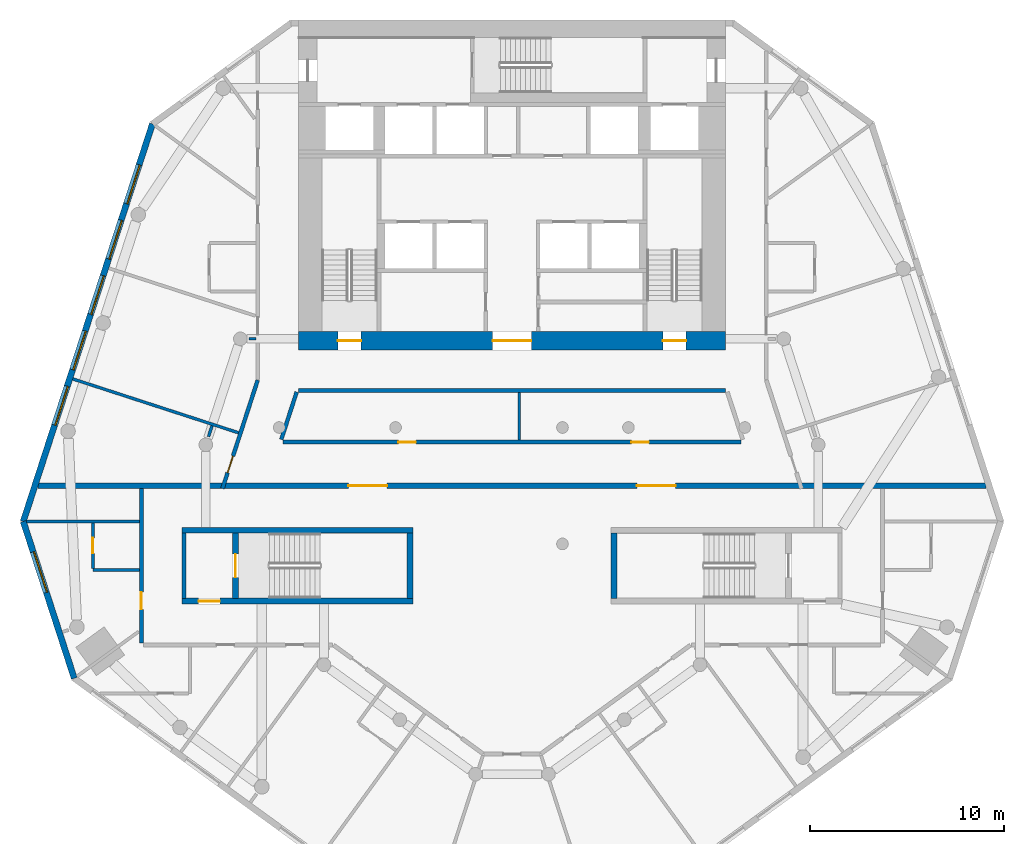
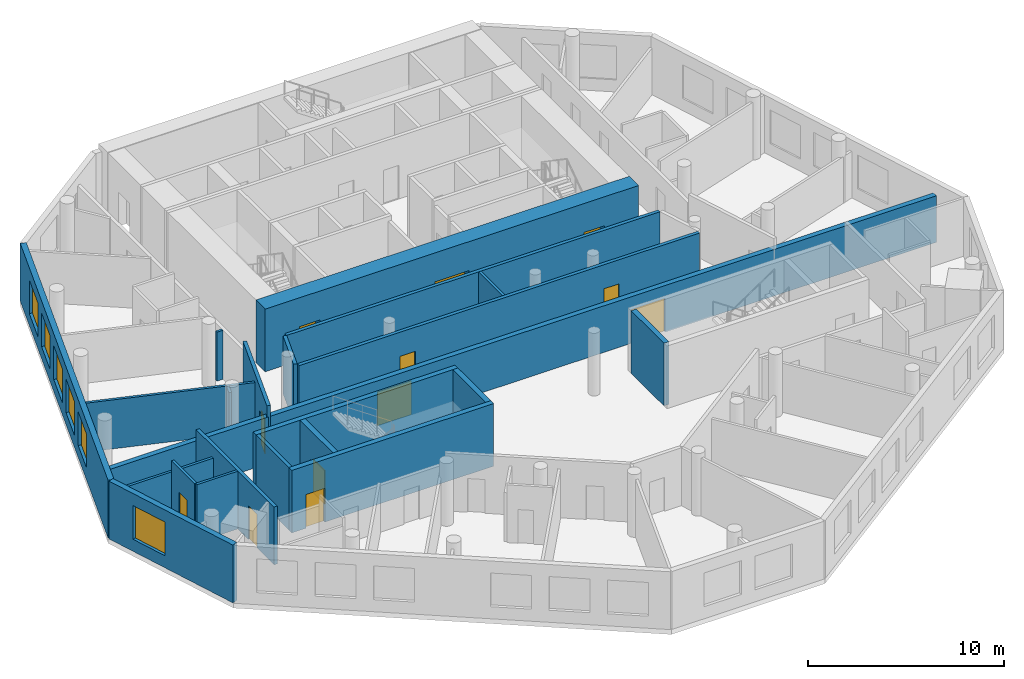
# One storey, part 3 of 9: 22 walls, 12 doors, 6 windows, 18 openings.
"""IFC4 building model written with IfcOpenShell, lengths in metres."""

from ifc_helpers import new_model, si_unit, direction, frame, frame_2d, origin, place, context, subcontext, project, spatial, rectangle, extrude, material, layer, layer_set, type_object, element, fill, save


model = new_model("IFC4")

# Units and contexts
model_context = context("Model", 3, precision=1e-05, world=origin(), true_north=direction((0.0, 1.0)))
body_context = subcontext(model_context, "Body", "Model", "MODEL_VIEW")
ifc_project = project(units=[si_unit("LENGTHUNIT", "METRE"), si_unit("AREAUNIT", "SQUARE_METRE"), si_unit("VOLUMEUNIT", "CUBIC_METRE"), si_unit("PLANEANGLEUNIT", "RADIAN"), si_unit("MASSUNIT", "GRAM", prefix="KILO")], contexts=[model_context])

# Site, building, storey
site_placement = place(None, origin())
site = spatial("IfcSite", under=ifc_project, at=site_placement, CompositionType="ELEMENT")
building_placement = place(site_placement, origin())
building = spatial("IfcBuilding", under=site, at=building_placement, Name="White Candle Pilgrim Tower", CompositionType="ELEMENT")
storey_placement = place(building_placement, frame((0.0, 0.0, 164.199951171875)))
storey = spatial("IfcBuildingStorey", under=building, at=storey_placement, Name="L37", CompositionType="ELEMENT", Elevation=164.199951171875)

# Wall
ifc_material_1 = material(Name="Concrete C60/75", Category="concrete")
ifc_layer_1 = layer(ifc_material_1, 0.199951171875)
ifc_layer_set_1 = layer_set([ifc_layer_1], Name="Core wall 200 mm Concrete C60/75")
wall_type_1 = type_object("IfcWallType", Name="Core wall 200 mm Concrete C60/75", PredefinedType="SHEAR", material=ifc_layer_set_1)
wall_1_placement = place(storey_placement, frame((53.10009765625, 58.199951171875, 0.0), z_axis=(0.0, 0.0, 1.0), x_axis=(0.0, 1.0, 0.0)))
element("IfcWall", 1, at=wall_1_placement, inside=storey, type_object=wall_type_1, Name="WL-L37-C03", PredefinedType="SHEAR", context=body_context, shape_type="SweptSolid", body=[
    extrude(rectangle(XDim=3.35009765625, YDim=0.199951171875, at=frame_2d((1.675048828125, 0.0))), origin(), (0.0, 0.0, 1.0), 3.900146484375),
])

# Wall, opening, door
ifc_material_2 = material(Name="Gypsum board on steel studs", Category="steel")
ifc_layer_2 = layer(ifc_material_2, 0.199951171875)
ifc_layer_set_2 = layer_set([ifc_layer_2], Name="Corridor wall 200 mm EI 45")
wall_type_2 = type_object("IfcWallType", Name="Corridor wall 200 mm EI 45", PredefinedType="PARTITIONING", material=ifc_layer_set_2)
wall_2_placement = place(storey_placement, frame((55.078125, 63.85009765625, 0.0), z_axis=(0.0, 0.0, 1.0), x_axis=(0.309018469575, 0.951056036972, 0.0)))
wall_2 = element("IfcWall", 2, at=wall_2_placement, inside=storey, type_object=wall_type_2, Name="WL-L37-P002", PredefinedType="PARTITIONING", context=body_context, shape_type="SweptSolid", body=[
    extrude(rectangle(XDim=5.879638671875, YDim=0.199951171875, at=frame_2d((2.93994140625, 0.0))), origin(), (0.0, 0.0, 1.0), 3.60009765625),
])
opening_1_placement = place(wall_2_placement, frame((0.861083984375, 0.0, 0.0)))
opening_1 = element("IfcOpeningElement", 3, at=opening_1_placement, cuts=wall_2, Name="Opening T11-124", PredefinedType="OPENING", context=body_context, shape_type="SweptSolid", body=[
    extrude(rectangle(XDim=0.89990234375, YDim=2.10009765625, at=frame_2d((0.449951171875, 1.050048828125))), frame((0.0, 0.10986328125, 0.0), z_axis=(0.0, -1.0, 0.0), x_axis=(1.0, 0.0, 0.0)), (0.0, 0.0, 1.0), 0.219970703125),
])
ifc_material_3 = material(Name="Steel door leaf", Category="steel")
door_type_1 = type_object("IfcDoorType", Name="Fire door 900 x 2100 EI 30", OperationType="NOTDEFINED", PredefinedType="DOOR", material=ifc_material_3)
door_1_placement = place(opening_1_placement, origin())
door_1 = element("IfcDoor", 4, at=door_1_placement, inside=storey, type_object=door_type_1, Name="Door T11-124", OperationType="SINGLE_SWING_RIGHT", OverallHeight=2.10009765625, OverallWidth=0.89990234375, PredefinedType="DOOR", context=body_context, shape_type="SweptSolid", body=[
    extrude(rectangle(XDim=0.89990234375, YDim=2.10009765625, at=frame_2d((0.449951171875, 1.050048828125))), frame((0.0, 0.02490234375, 0.0), z_axis=(0.0, -1.0, 0.0), x_axis=(1.0, 0.0, 0.0)), (0.0, 0.0, 1.0), 0.050048828125),
])
fill(opening_1, door_1)

wall_3_placement = place(storey_placement, frame((50.89990234375, 55.89990234375, 0.0), z_axis=(0.0, 0.0, 1.0), x_axis=(0.0, 1.0, 0.0)))
wall_3 = element("IfcWall", 5, at=wall_3_placement, inside=storey, type_object=wall_type_2, Name="WL-L37-P012", PredefinedType="PARTITIONING", context=body_context, shape_type="SweptSolid", body=[
    extrude(rectangle(XDim=7.9501953125, YDim=0.199951171875, at=frame_2d((3.97509765625, 0.0))), origin(), (0.0, 0.0, 1.0), 3.60009765625),
])
opening_2_placement = place(wall_3_placement, frame((1.72119140625, 0.0, 0.0)))
opening_2 = element("IfcOpeningElement", 6, at=opening_2_placement, cuts=wall_3, Name="Opening T11-103", PredefinedType="OPENING", context=body_context, shape_type="SweptSolid", body=[
    extrude(rectangle(XDim=0.89990234375, YDim=2.10009765625, at=frame_2d((0.449951171875, 1.050048828125))), frame((0.0, 0.10986328125, 0.0), z_axis=(0.0, -1.0, 0.0), x_axis=(1.0, 0.0, 0.0)), (0.0, 0.0, 1.0), 0.219970703125),
])
door_2_placement = place(opening_2_placement, origin())
door_2 = element("IfcDoor", 7, at=door_2_placement, inside=storey, type_object=door_type_1, Name="Door T11-103", OperationType="SINGLE_SWING_LEFT", OverallHeight=2.10009765625, OverallWidth=0.89990234375, PredefinedType="DOOR", context=body_context, shape_type="SweptSolid", body=[
    extrude(rectangle(XDim=0.89990234375, YDim=2.10009765625, at=frame_2d((0.449951171875, 1.050048828125))), frame((0.0, 0.02490234375, 0.0), z_axis=(0.0, -1.0, 0.0), x_axis=(1.0, 0.0, 0.0)), (0.0, 0.0, 1.0), 0.050048828125),
])
fill(opening_2, door_2)

# Walls
wall_4_placement = place(storey_placement, frame((81.000244140625, 68.89990234375, 0.0), z_axis=(0.0, 0.0, 1.0), x_axis=(-1.0, 0.0, 0.0)))
element("IfcWall", 8, at=wall_4_placement, inside=storey, type_object=wall_type_2, Name="WL-L37-P013", PredefinedType="PARTITIONING", context=body_context, shape_type="SweptSolid", body=[
    extrude(rectangle(XDim=22.00048828125, YDim=0.199951171875, at=frame_2d((11.000244140625, 0.0))), origin(), (0.0, 0.0, 1.0), 3.60009765625),
])
wall_5_placement = place(storey_placement, frame((58.90478515625, 68.830810546875, 0.0), z_axis=(0.0, 0.0, 1.0), x_axis=(-0.309053927645, -0.951044515155, 0.0)))
element("IfcWall", 9, at=wall_5_placement, inside=storey, type_object=wall_type_2, Name="WL-L37-P014", PredefinedType="PARTITIONING", context=body_context, shape_type="SweptSolid", body=[
    extrude(rectangle(XDim=2.576171875, YDim=0.199951171875, at=frame_2d((1.2880859375, 0.0))), origin(), (0.0, 0.0, 1.0), 3.60009765625),
])

# Wall, openings, doors
wall_6_placement = place(storey_placement, frame((58.20361328125, 66.25, 0.0), z_axis=(0.0, 0.0, 1.0), x_axis=(1.0, 0.0, 0.0)))
wall_6 = element("IfcWall", 10, at=wall_6_placement, inside=storey, type_object=wall_type_2, Name="WL-L37-P015", PredefinedType="PARTITIONING", context=body_context, shape_type="SweptSolid", body=[
    extrude(rectangle(XDim=23.5927734375, YDim=0.199951171875, at=frame_2d((11.79638671875, 0.0))), origin(), (0.0, 0.0, 1.0), 3.60009765625),
])
opening_3_placement = place(wall_6_placement, frame((5.94091796875, 0.0, 0.0)))
opening_3 = element("IfcOpeningElement", 11, at=opening_3_placement, cuts=wall_6, Name="Opening T11-122", PredefinedType="OPENING", context=body_context, shape_type="SweptSolid", body=[
    extrude(rectangle(XDim=0.89990234375, YDim=2.10009765625, at=frame_2d((0.449951171875, 1.050048828125))), frame((0.0, 0.10986328125, 0.0), z_axis=(0.0, -1.0, 0.0), x_axis=(1.0, 0.0, 0.0)), (0.0, 0.0, 1.0), 0.219970703125),
])
opening_4_placement = place(wall_6_placement, frame((17.949951171875, 0.0, 0.0)))
opening_4 = element("IfcOpeningElement", 12, at=opening_4_placement, cuts=wall_6, Name="Opening T11-123", PredefinedType="OPENING", context=body_context, shape_type="SweptSolid", body=[
    extrude(rectangle(XDim=0.89990234375, YDim=2.10009765625, at=frame_2d((0.449951171875, 1.050048828125))), frame((0.0, 0.10986328125, 0.0), z_axis=(0.0, -1.0, 0.0), x_axis=(1.0, 0.0, 0.0)), (0.0, 0.0, 1.0), 0.219970703125),
])
door_3_placement = place(opening_3_placement, origin())
door_3 = element("IfcDoor", 13, at=door_3_placement, inside=storey, type_object=door_type_1, Name="Door T11-122", OperationType="SINGLE_SWING_RIGHT", OverallHeight=2.10009765625, OverallWidth=0.89990234375, PredefinedType="DOOR", context=body_context, shape_type="SweptSolid", body=[
    extrude(rectangle(XDim=0.89990234375, YDim=2.10009765625, at=frame_2d((0.449951171875, 1.050048828125))), frame((0.0, 0.02490234375, 0.0), z_axis=(0.0, -1.0, 0.0), x_axis=(1.0, 0.0, 0.0)), (0.0, 0.0, 1.0), 0.050048828125),
])
fill(opening_3, door_3)
door_4_placement = place(opening_4_placement, origin())
door_4 = element("IfcDoor", 14, at=door_4_placement, inside=storey, type_object=door_type_1, Name="Door T11-123", OperationType="SINGLE_SWING_RIGHT", OverallHeight=2.10009765625, OverallWidth=0.89990234375, PredefinedType="DOOR", context=body_context, shape_type="SweptSolid", body=[
    extrude(rectangle(XDim=0.89990234375, YDim=2.10009765625, at=frame_2d((0.449951171875, 1.050048828125))), frame((0.0, 0.02490234375, 0.0), z_axis=(0.0, -1.0, 0.0), x_axis=(1.0, 0.0, 0.0)), (0.0, 0.0, 1.0), 0.050048828125),
])
fill(opening_4, door_4)

# Wall, opening, window
ifc_material_4 = material(Name="Precast concrete C40/50", Category="concrete")
ifc_layer_3 = layer(ifc_material_4, 0.320068359375)
ifc_layer_set_3 = layer_set([ifc_layer_3], Name="Facade wall EW1 precast concrete C40/50 pier wall with timber-lined reveals")
wall_type_3 = type_object("IfcWallType", Name="Facade wall EW1 precast concrete C40/50 pier wall with timber-lined reveals", PredefinedType="SOLIDWALL", material=ifc_layer_set_3)
wall_7_placement = place(storey_placement, frame((44.81298828125, 62.158447265625, 0.0), z_axis=(0.0, 0.0, 1.0), x_axis=(0.30900946713, -0.951058962012, 0.0)))
wall_7 = element("IfcWall", 15, at=wall_7_placement, inside=storey, type_object=wall_type_3, Name="Facade wall L37 W chamfer", PredefinedType="SOLIDWALL", context=body_context, shape_type="SweptSolid", body=[
    extrude(rectangle(XDim=8.503662109375, YDim=0.320068359375, at=frame_2d((4.251953125, 0.0))), origin(), (0.0, 0.0, 1.0), 3.60009765625),
])
opening_5_placement = place(wall_7_placement, frame((1.65185546875, 0.0, 0.75)))
opening_5 = element("IfcOpeningElement", 16, at=opening_5_placement, cuts=wall_7, Name="Opening W4", PredefinedType="OPENING", context=body_context, shape_type="SweptSolid", body=[
    extrude(rectangle(XDim=2.199951171875, YDim=2.10009765625, at=frame_2d((1.10009765625, 1.050048828125))), frame((0.0, 0.169921875, 0.0), z_axis=(0.0, -1.0, 0.0), x_axis=(1.0, 0.0, 0.0)), (0.0, 0.0, 1.0), 0.340087890625),
])
ifc_material_5 = material(Name="Timber frame with triple glazing", Category="wood")
window_type_1 = type_object("IfcWindowType", Name="Window W4 2200x2100 timber frame triple glazing", PartitioningType="SINGLE_PANEL", PredefinedType="WINDOW", material=ifc_material_5)
window_1_placement = place(opening_5_placement, origin())
window_1 = element("IfcWindow", 17, at=window_1_placement, inside=storey, type_object=window_type_1, Name="Window W4 L37 W chamfer 1", OverallHeight=2.10009765625, OverallWidth=2.199951171875, PartitioningType="SINGLE_PANEL", PredefinedType="WINDOW", context=body_context, shape_type="SweptSolid", body=[
    extrude(rectangle(XDim=2.199951171875, YDim=2.10009765625, at=frame_2d((1.10009765625, 1.050048828125))), frame((0.0, 0.070068359375, 0.0), z_axis=(0.0, -1.0, 0.0), x_axis=(1.0, 0.0, 0.0)), (0.0, 0.0, 1.0), 0.06005859375),
])
fill(opening_5, window_1)

# Wall, openings, windows
wall_8_placement = place(storey_placement, frame((51.470947265625, 82.649658203125, 0.0), z_axis=(0.0, 0.0, 1.0), x_axis=(-0.309015355068, -0.951057048937, 0.0)))
wall_8 = element("IfcWall", 18, at=wall_8_placement, inside=storey, type_object=wall_type_3, Name="Facade wall L37 WNW", PredefinedType="SOLIDWALL", context=body_context, shape_type="SweptSolid", body=[
    extrude(rectangle(XDim=21.545654296875, YDim=0.320068359375, at=frame_2d((10.77294921875, 0.0))), origin(), (0.0, 0.0, 1.0), 3.60009765625),
])
opening_6_placement = place(wall_8_placement, frame((2.222900390625, 0.0, 0.75)))
opening_6 = element("IfcOpeningElement", 19, at=opening_6_placement, cuts=wall_8, Name="Opening W3", PredefinedType="OPENING", context=body_context, shape_type="SweptSolid", body=[
    extrude(rectangle(XDim=2.10009765625, YDim=2.10009765625, at=frame_2d((1.050048828125, 1.050048828125))), frame((0.0, 0.169921875, 0.0), z_axis=(0.0, -1.0, 0.0), x_axis=(1.0, 0.0, 0.0)), (0.0, 0.0, 1.0), 0.340087890625),
])
opening_7_placement = place(wall_8_placement, frame((5.222900390625, 0.0, 0.75)))
opening_7 = element("IfcOpeningElement", 20, at=opening_7_placement, cuts=wall_8, Name="Opening W3", PredefinedType="OPENING", context=body_context, shape_type="SweptSolid", body=[
    extrude(rectangle(XDim=2.10009765625, YDim=2.10009765625, at=frame_2d((1.050048828125, 1.050048828125))), frame((0.0, 0.169921875, 0.0), z_axis=(0.0, -1.0, 0.0), x_axis=(1.0, 0.0, 0.0)), (0.0, 0.0, 1.0), 0.340087890625),
])
opening_8_placement = place(wall_8_placement, frame((8.222900390625, 0.0, 0.75)))
opening_8 = element("IfcOpeningElement", 21, at=opening_8_placement, cuts=wall_8, Name="Opening W3", PredefinedType="OPENING", context=body_context, shape_type="SweptSolid", body=[
    extrude(rectangle(XDim=2.10009765625, YDim=2.10009765625, at=frame_2d((1.050048828125, 1.050048828125))), frame((0.0, 0.169921875, 0.0), z_axis=(0.0, -1.0, 0.0), x_axis=(1.0, 0.0, 0.0)), (0.0, 0.0, 1.0), 0.340087890625),
])
opening_9_placement = place(wall_8_placement, frame((11.222900390625, 0.0, 0.75)))
opening_9 = element("IfcOpeningElement", 22, at=opening_9_placement, cuts=wall_8, Name="Opening W3", PredefinedType="OPENING", context=body_context, shape_type="SweptSolid", body=[
    extrude(rectangle(XDim=2.10009765625, YDim=2.10009765625, at=frame_2d((1.050048828125, 1.050048828125))), frame((0.0, 0.169921875, 0.0), z_axis=(0.0, -1.0, 0.0), x_axis=(1.0, 0.0, 0.0)), (0.0, 0.0, 1.0), 0.340087890625),
])
opening_10_placement = place(wall_8_placement, frame((14.222900390625, 0.0, 0.75)))
opening_10 = element("IfcOpeningElement", 23, at=opening_10_placement, cuts=wall_8, Name="Opening W3", PredefinedType="OPENING", context=body_context, shape_type="SweptSolid", body=[
    extrude(rectangle(XDim=2.10009765625, YDim=2.10009765625, at=frame_2d((1.050048828125, 1.050048828125))), frame((0.0, 0.169921875, 0.0), z_axis=(0.0, -1.0, 0.0), x_axis=(1.0, 0.0, 0.0)), (0.0, 0.0, 1.0), 0.340087890625),
])
window_type_2 = type_object("IfcWindowType", Name="Window W3 2100x2100 timber frame triple glazing", PartitioningType="SINGLE_PANEL", PredefinedType="WINDOW", material=ifc_material_5)
window_2_placement = place(opening_6_placement, origin())
window_2 = element("IfcWindow", 24, at=window_2_placement, inside=storey, type_object=window_type_2, Name="Window W3 L37 WNW 1", OverallHeight=2.10009765625, OverallWidth=2.10009765625, PartitioningType="SINGLE_PANEL", PredefinedType="WINDOW", context=body_context, shape_type="SweptSolid", body=[
    extrude(rectangle(XDim=2.10009765625, YDim=2.10009765625, at=frame_2d((1.050048828125, 1.050048828125))), frame((0.0, 0.070068359375, 0.0), z_axis=(0.0, -1.0, 0.0), x_axis=(1.0, 0.0, 0.0)), (0.0, 0.0, 1.0), 0.06005859375),
])
fill(opening_6, window_2)
window_3_placement = place(opening_7_placement, origin())
window_3 = element("IfcWindow", 25, at=window_3_placement, inside=storey, type_object=window_type_2, Name="Window W3 L37 WNW 2", OverallHeight=2.10009765625, OverallWidth=2.10009765625, PartitioningType="SINGLE_PANEL", PredefinedType="WINDOW", context=body_context, shape_type="SweptSolid", body=[
    extrude(rectangle(XDim=2.10009765625, YDim=2.10009765625, at=frame_2d((1.050048828125, 1.050048828125))), frame((0.0, 0.070068359375, 0.0), z_axis=(0.0, -1.0, 0.0), x_axis=(1.0, 0.0, 0.0)), (0.0, 0.0, 1.0), 0.06005859375),
])
fill(opening_7, window_3)
window_4_placement = place(opening_8_placement, origin())
window_4 = element("IfcWindow", 26, at=window_4_placement, inside=storey, type_object=window_type_2, Name="Window W3 L37 WNW 3", OverallHeight=2.10009765625, OverallWidth=2.10009765625, PartitioningType="SINGLE_PANEL", PredefinedType="WINDOW", context=body_context, shape_type="SweptSolid", body=[
    extrude(rectangle(XDim=2.10009765625, YDim=2.10009765625, at=frame_2d((1.050048828125, 1.050048828125))), frame((0.0, 0.070068359375, 0.0), z_axis=(0.0, -1.0, 0.0), x_axis=(1.0, 0.0, 0.0)), (0.0, 0.0, 1.0), 0.06005859375),
])
fill(opening_8, window_4)
window_5_placement = place(opening_9_placement, origin())
window_5 = element("IfcWindow", 27, at=window_5_placement, inside=storey, type_object=window_type_2, Name="Window W3 L37 WNW 4", OverallHeight=2.10009765625, OverallWidth=2.10009765625, PartitioningType="SINGLE_PANEL", PredefinedType="WINDOW", context=body_context, shape_type="SweptSolid", body=[
    extrude(rectangle(XDim=2.10009765625, YDim=2.10009765625, at=frame_2d((1.050048828125, 1.050048828125))), frame((0.0, 0.070068359375, 0.0), z_axis=(0.0, -1.0, 0.0), x_axis=(1.0, 0.0, 0.0)), (0.0, 0.0, 1.0), 0.06005859375),
])
fill(opening_9, window_5)
window_6_placement = place(opening_10_placement, origin())
window_6 = element("IfcWindow", 28, at=window_6_placement, inside=storey, type_object=window_type_2, Name="Window W3 L37 WNW 5", OverallHeight=2.10009765625, OverallWidth=2.10009765625, PartitioningType="SINGLE_PANEL", PredefinedType="WINDOW", context=body_context, shape_type="SweptSolid", body=[
    extrude(rectangle(XDim=2.10009765625, YDim=2.10009765625, at=frame_2d((1.050048828125, 1.050048828125))), frame((0.0, 0.070068359375, 0.0), z_axis=(0.0, -1.0, 0.0), x_axis=(1.0, 0.0, 0.0)), (0.0, 0.0, 1.0), 0.06005859375),
])
fill(opening_10, window_6)

# Wall, openings, doors
ifc_material_6 = material(Name="Aerated concrete block", Category="concrete")
ifc_layer_4 = layer(ifc_material_6, 0.300048828125)
ifc_layer_set_4 = layer_set([ifc_layer_4], Name="Fire wall 300 mm REI 240")
wall_type_4 = type_object("IfcWallType", Name="Fire wall 300 mm REI 240", PredefinedType="PARTITIONING", material=ifc_layer_set_4)
wall_9_placement = place(storey_placement, frame((45.57958984375, 64.0, 0.0), z_axis=(0.0, 0.0, 1.0), x_axis=(1.0, 0.0, 0.0)))
wall_9 = element("IfcWall", 29, at=wall_9_placement, inside=storey, type_object=wall_type_4, Name="WL-L37-P001", PredefinedType="PARTITIONING", context=body_context, shape_type="SweptSolid", body=[
    extrude(rectangle(XDim=48.8408203125, YDim=0.300048828125, at=frame_2d((24.42041015625, 0.0))), origin(), (0.0, 0.0, 1.0), 2.900146484375),
])
opening_11_placement = place(wall_9_placement, frame((15.98388671875, 0.0, 0.0)))
opening_11 = element("IfcOpeningElement", 30, at=opening_11_placement, cuts=wall_9, Name="Opening T11-120", PredefinedType="OPENING", context=body_context, shape_type="SweptSolid", body=[
    extrude(rectangle(XDim=2.0, YDim=2.10009765625, at=frame_2d((1.0, 1.050048828125))), frame((0.0, 0.159912109375, 0.0), z_axis=(0.0, -1.0, 0.0), x_axis=(1.0, 0.0, 0.0)), (0.0, 0.0, 1.0), 0.320068359375),
])
opening_12_placement = place(wall_9_placement, frame((30.856689453125, 0.0, 0.0)))
opening_12 = element("IfcOpeningElement", 31, at=opening_12_placement, cuts=wall_9, Name="Opening T11-121", PredefinedType="OPENING", context=body_context, shape_type="SweptSolid", body=[
    extrude(rectangle(XDim=2.0, YDim=2.10009765625, at=frame_2d((1.0, 1.050048828125))), frame((0.0, 0.159912109375, 0.0), z_axis=(0.0, -1.0, 0.0), x_axis=(1.0, 0.0, 0.0)), (0.0, 0.0, 1.0), 0.320068359375),
])
door_type_2 = type_object("IfcDoorType", Name="Fire door 2000 x 2100 EI 60", OperationType="NOTDEFINED", PredefinedType="DOOR", material=ifc_material_3)
door_5_placement = place(opening_11_placement, origin())
door_5 = element("IfcDoor", 32, at=door_5_placement, inside=storey, type_object=door_type_2, Name="Door T11-120", OperationType="DOUBLE_DOOR_SINGLE_SWING", OverallHeight=2.10009765625, OverallWidth=2.0, PredefinedType="DOOR", context=body_context, shape_type="SweptSolid", body=[
    extrude(rectangle(XDim=2.0, YDim=2.10009765625, at=frame_2d((1.0, 1.050048828125))), frame((0.0, 0.02490234375, 0.0), z_axis=(0.0, -1.0, 0.0), x_axis=(1.0, 0.0, 0.0)), (0.0, 0.0, 1.0), 0.050048828125),
])
fill(opening_11, door_5)
door_6_placement = place(opening_12_placement, origin())
door_6 = element("IfcDoor", 33, at=door_6_placement, inside=storey, type_object=door_type_2, Name="Door T11-121", OperationType="DOUBLE_DOOR_SINGLE_SWING", OverallHeight=2.10009765625, OverallWidth=2.0, PredefinedType="DOOR", context=body_context, shape_type="SweptSolid", body=[
    extrude(rectangle(XDim=2.0, YDim=2.10009765625, at=frame_2d((1.0, 1.050048828125))), frame((0.0, 0.02490234375, 0.0), z_axis=(0.0, -1.0, 0.0), x_axis=(1.0, 0.0, 0.0)), (0.0, 0.0, 1.0), 0.050048828125),
])
fill(opening_12, door_6)

# Walls
ifc_layer_5 = layer(ifc_material_2, 0.14990234375)
ifc_layer_set_5 = layer_set([ifc_layer_5], Name="Partition 150 mm EI 60")
wall_type_5 = type_object("IfcWallType", Name="Partition 150 mm EI 60", PredefinedType="PARTITIONING", material=ifc_layer_set_5)
wall_10_placement = place(storey_placement, frame((44.981201171875, 62.158447265625, 0.0), z_axis=(0.0, 0.0, 1.0), x_axis=(1.0, 0.0, 0.0)))
element("IfcWall", 34, at=wall_10_placement, inside=storey, type_object=wall_type_5, Name="WL-L37-P018", PredefinedType="PARTITIONING", context=body_context, shape_type="SweptSolid", body=[
    extrude(rectangle(XDim=5.81884765625, YDim=0.14990234375, at=frame_2d((2.909423828125, 0.0))), origin(), (0.0, 0.0, 1.0), 2.900146484375),
])
wall_11_placement = place(storey_placement, frame((47.3671875, 69.50146484375, 0.0), z_axis=(0.0, 0.0, 1.0), x_axis=(0.951051249243, -0.309033204224, 0.0)))
element("IfcWall", 35, at=wall_11_placement, inside=storey, type_object=wall_type_5, Name="WL-L37-P027", PredefinedType="PARTITIONING", context=body_context, shape_type="SweptSolid", body=[
    extrude(rectangle(XDim=8.97998046875, YDim=0.14990234375, at=frame_2d((4.489990234375, 0.0))), origin(), (0.0, 0.0, 1.0), 3.050048828125),
])
wall_12_placement = place(storey_placement, frame((50.800048828125, 59.658447265625, 0.0), z_axis=(0.0, 0.0, 1.0), x_axis=(-1.0, 0.0, 0.0)))
element("IfcWall", 36, at=wall_12_placement, inside=storey, type_object=wall_type_5, Name="WL-L37-P031", PredefinedType="PARTITIONING", context=body_context, shape_type="SweptSolid", body=[
    extrude(rectangle(XDim=2.400146484375, YDim=0.14990234375, at=frame_2d((1.2001953125, 0.0))), origin(), (0.0, 0.0, 1.0), 3.60009765625),
])

# Wall, opening, door
wall_13_placement = place(storey_placement, frame((48.39990234375, 62.08349609375, 0.0), z_axis=(0.0, 0.0, 1.0), x_axis=(0.0, -1.0, 0.0)))
wall_13 = element("IfcWall", 37, at=wall_13_placement, inside=storey, type_object=wall_type_5, Name="WL-L37-P032", PredefinedType="PARTITIONING", context=body_context, shape_type="SweptSolid", body=[
    extrude(rectangle(XDim=2.35009765625, YDim=0.14990234375, at=frame_2d((1.175048828125, 0.0))), origin(), (0.0, 0.0, 1.0), 3.60009765625),
])
opening_13_placement = place(wall_13_placement, frame((0.77490234375, 0.0, 0.0)))
opening_13 = element("IfcOpeningElement", 38, at=opening_13_placement, cuts=wall_13, Name="Opening T11-102", PredefinedType="OPENING", context=body_context, shape_type="SweptSolid", body=[
    extrude(rectangle(XDim=0.800048828125, YDim=2.10009765625, at=frame_2d((0.39990234375, 1.050048828125))), frame((0.0, 0.0849609375, 0.0), z_axis=(0.0, -1.0, 0.0), x_axis=(1.0, 0.0, 0.0)), (0.0, 0.0, 1.0), 0.169921875),
])
door_type_3 = type_object("IfcDoorType", Name="Fire door 800 x 2100 EI 30", OperationType="NOTDEFINED", PredefinedType="DOOR", material=ifc_material_3)
door_7_placement = place(opening_13_placement, frame((0.800048828125, 0.0, 0.0), z_axis=(0.0, 0.0, 1.0), x_axis=(-1.0, 0.0, 0.0)))
door_7 = element("IfcDoor", 39, at=door_7_placement, inside=storey, type_object=door_type_3, Name="Door T11-102", OperationType="SINGLE_SWING_LEFT", OverallHeight=2.10009765625, OverallWidth=0.800048828125, PredefinedType="DOOR", context=body_context, shape_type="SweptSolid", body=[
    extrude(rectangle(XDim=0.800048828125, YDim=2.10009765625, at=frame_2d((0.39990234375, 1.050048828125))), frame((0.0, 0.02490234375, 0.0), z_axis=(0.0, -1.0, 0.0), x_axis=(1.0, 0.0, 0.0)), (0.0, 0.0, 1.0), 0.050048828125),
])
fill(opening_13, door_7)

# Walls
wall_14_placement = place(storey_placement, frame((70.373291015625, 66.35009765625, 0.0), z_axis=(0.0, 0.0, 1.0), x_axis=(0.0, 1.0, 0.0)))
element("IfcWall", 40, at=wall_14_placement, inside=storey, type_object=wall_type_5, Name="WL-L37-P055", PredefinedType="PARTITIONING", context=body_context, shape_type="SweptSolid", body=[
    extrude(rectangle(XDim=2.449951171875, YDim=0.14990234375, at=frame_2d((1.22509765625, 0.0))), origin(), (0.0, 0.0, 1.0), 3.60009765625),
])
wall_15_placement = place(storey_placement, frame((56.43994140625, 71.572265625, 0.0), z_axis=(0.0, 0.0, 1.0), x_axis=(1.0, 0.0, 0.0)))
element("IfcWall", 41, at=wall_15_placement, inside=storey, type_object=wall_type_5, Name="WL-L37-P063", PredefinedType="PARTITIONING", context=body_context, shape_type="SweptSolid", body=[
    extrude(rectangle(XDim=0.360107421875, YDim=0.14990234375, at=frame_2d((0.18017578125, 0.0))), origin(), (0.0, 0.0, 1.0), 3.050048828125),
])
wall_16_placement = place(storey_placement, frame((54.35888671875, 66.52734375, 0.0), z_axis=(0.0, 0.0, 1.0), x_axis=(0.309179160729, 0.951003809966, 0.0)))
element("IfcWall", 42, at=wall_16_placement, inside=storey, type_object=wall_type_5, Name="WL-L37-P064", PredefinedType="PARTITIONING", context=body_context, shape_type="SweptSolid", body=[
    extrude(rectangle(XDim=0.593017578125, YDim=0.14990234375, at=frame_2d((0.29638671875, 0.0))), origin(), (0.0, 0.0, 1.0), 3.050048828125),
])

# Wall, opening, door
ifc_layer_6 = layer(ifc_material_1, 0.300048828125)
ifc_layer_set_6 = layer_set([ifc_layer_6], Name="Stair shaft wall 300 mm Concrete C60/75")
wall_type_6 = type_object("IfcWallType", Name="Stair shaft wall 300 mm Concrete C60/75", PredefinedType="SHEAR", material=ifc_layer_set_6)
wall_17_placement = place(storey_placement, frame((53.0, 58.050048828125, 0.0), z_axis=(0.0, 0.0, 1.0), x_axis=(1.0, 0.0, 0.0)))
wall_17 = element("IfcWall", 43, at=wall_17_placement, inside=storey, type_object=wall_type_6, Name="WL-L37-C01", PredefinedType="SHEAR", context=body_context, shape_type="SweptSolid", body=[
    extrude(rectangle(XDim=11.89990234375, YDim=0.300048828125, at=frame_2d((5.949951171875, 0.0))), origin(), (0.0, 0.0, 1.0), 3.900146484375),
])
opening_14_placement = place(wall_17_placement, frame((0.85009765625, 0.0, 0.0)))
opening_14 = element("IfcOpeningElement", 44, at=opening_14_placement, cuts=wall_17, Name="Opening T11-010", PredefinedType="OPENING", context=body_context, shape_type="SweptSolid", body=[
    extrude(rectangle(XDim=1.10009765625, YDim=2.10009765625, at=frame_2d((0.550048828125, 1.050048828125))), frame((0.0, 0.159912109375, 0.0), z_axis=(0.0, -1.0, 0.0), x_axis=(1.0, 0.0, 0.0)), (0.0, 0.0, 1.0), 0.320068359375),
])
door_type_4 = type_object("IfcDoorType", Name="Fire door 1100 x 2100 EI 60", OperationType="NOTDEFINED", PredefinedType="DOOR", material=ifc_material_3)
door_8_placement = place(opening_14_placement, origin())
door_8 = element("IfcDoor", 45, at=door_8_placement, inside=storey, type_object=door_type_4, Name="Door T11-010", OperationType="SINGLE_SWING_RIGHT", OverallHeight=2.10009765625, OverallWidth=1.10009765625, PredefinedType="DOOR", context=body_context, shape_type="SweptSolid", body=[
    extrude(rectangle(XDim=1.10009765625, YDim=2.10009765625, at=frame_2d((0.550048828125, 1.050048828125))), frame((0.0, 0.02490234375, 0.0), z_axis=(0.0, -1.0, 0.0), x_axis=(1.0, 0.0, 0.0)), (0.0, 0.0, 1.0), 0.050048828125),
])
fill(opening_14, door_8)

wall_18_placement = place(storey_placement, frame((55.75, 58.199951171875, 0.0), z_axis=(0.0, 0.0, 1.0), x_axis=(0.0, 1.0, 0.0)))
wall_18 = element("IfcWall", 46, at=wall_18_placement, inside=storey, type_object=wall_type_6, Name="WL-L37-C04", PredefinedType="SHEAR", context=body_context, shape_type="SweptSolid", body=[
    extrude(rectangle(XDim=3.35009765625, YDim=0.300048828125, at=frame_2d((1.675048828125, 0.0))), origin(), (0.0, 0.0, 1.0), 3.900146484375),
])
opening_15_placement = place(wall_18_placement, frame((1.074951171875, 0.0, 0.0)))
opening_15 = element("IfcOpeningElement", 47, at=opening_15_placement, cuts=wall_18, Name="Opening T11-011", PredefinedType="OPENING", context=body_context, shape_type="SweptSolid", body=[
    extrude(rectangle(XDim=1.199951171875, YDim=2.10009765625, at=frame_2d((0.60009765625, 1.050048828125))), frame((0.0, 0.159912109375, 0.0), z_axis=(0.0, -1.0, 0.0), x_axis=(1.0, 0.0, 0.0)), (0.0, 0.0, 1.0), 0.320068359375),
])
door_type_5 = type_object("IfcDoorType", Name="Fire door 1200 x 2100 EI 60", OperationType="NOTDEFINED", PredefinedType="DOOR", material=ifc_material_3)
door_9_placement = place(opening_15_placement, frame((1.199951171875, 0.0, 0.0), z_axis=(0.0, 0.0, 1.0), x_axis=(-1.0, 0.0, 0.0)))
door_9 = element("IfcDoor", 48, at=door_9_placement, inside=storey, type_object=door_type_5, Name="Door T11-011", OperationType="SINGLE_SWING_RIGHT", OverallHeight=2.10009765625, OverallWidth=1.199951171875, PredefinedType="DOOR", context=body_context, shape_type="SweptSolid", body=[
    extrude(rectangle(XDim=1.199951171875, YDim=2.10009765625, at=frame_2d((0.60009765625, 1.050048828125))), frame((0.0, 0.02490234375, 0.0), z_axis=(0.0, -1.0, 0.0), x_axis=(1.0, 0.0, 0.0)), (0.0, 0.0, 1.0), 0.050048828125),
])
fill(opening_15, door_9)

# Walls
for number, where, z_axis, x_axis, name in (
    (49, (64.75, 58.199951171875, 0.0), (0.0, 0.0, 1.0), (0.0, 1.0, 0.0), "WL-L37-C05"),
    (50, (75.25, 58.199951171875, 0.0), (0.0, 0.0, 1.0), (0.0, 1.0, 0.0), "WL-L37-C06"),
):
    element("IfcWall", number, at=place(storey_placement, frame(where, z_axis=z_axis, x_axis=x_axis)), inside=storey, type_object=wall_type_6, Name=name, PredefinedType="SHEAR", context=body_context, shape_type="SweptSolid", body=[
        extrude(rectangle(XDim=3.35009765625, YDim=0.300048828125, at=frame_2d((1.675048828125, 0.0))), origin(), (0.0, 0.0, 1.0), 3.900146484375),
    ])
wall_19_placement = place(storey_placement, frame((53.0, 61.699951171875, 0.0), z_axis=(0.0, 0.0, 1.0), x_axis=(1.0, 0.0, 0.0)))
element("IfcWall", 51, at=wall_19_placement, inside=storey, type_object=wall_type_6, Name="WL-L37-C09", PredefinedType="SHEAR", context=body_context, shape_type="SweptSolid", body=[
    extrude(rectangle(XDim=11.89990234375, YDim=0.300048828125, at=frame_2d((5.949951171875, 0.0))), origin(), (0.0, 0.0, 1.0), 3.900146484375),
])

# Wall, openings, doors
ifc_layer_7 = layer(ifc_material_1, 0.949951171875)
ifc_layer_set_7 = layer_set([ifc_layer_7], Name="Stair shaft wall 950 mm Concrete C60/75")
wall_type_7 = type_object("IfcWallType", Name="Stair shaft wall 950 mm Concrete C60/75", PredefinedType="SHEAR", material=ifc_layer_set_7)
wall_20_placement = place(storey_placement, frame((59.0, 71.47509765625, 0.0), z_axis=(0.0, 0.0, 1.0), x_axis=(1.0, 0.0, 0.0)))
wall_20 = element("IfcWall", 52, at=wall_20_placement, inside=storey, type_object=wall_type_7, Name="WL-L37-C11", PredefinedType="SHEAR", context=body_context, shape_type="SweptSolid", body=[
    extrude(rectangle(XDim=22.0, YDim=0.949951171875, at=frame_2d((11.0, 0.0))), origin(), (0.0, 0.0, 1.0), 3.900146484375),
])
opening_16_placement = place(wall_20_placement, frame((2.02490234375, 0.0, 0.0)))
opening_16 = element("IfcOpeningElement", 53, at=opening_16_placement, cuts=wall_20, Name="Opening T11-001", PredefinedType="OPENING", context=body_context, shape_type="SweptSolid", body=[
    extrude(rectangle(XDim=1.199951171875, YDim=2.10009765625, at=frame_2d((0.60009765625, 1.050048828125))), frame((0.0, 0.48486328125, 0.0), z_axis=(0.0, -1.0, 0.0), x_axis=(1.0, 0.0, 0.0)), (0.0, 0.0, 1.0), 0.969970703125),
])
opening_17_placement = place(wall_20_placement, frame((18.77490234375, 0.0, 0.0)))
opening_17 = element("IfcOpeningElement", 54, at=opening_17_placement, cuts=wall_20, Name="Opening T11-002", PredefinedType="OPENING", context=body_context, shape_type="SweptSolid", body=[
    extrude(rectangle(XDim=1.199951171875, YDim=2.10009765625, at=frame_2d((0.60009765625, 1.050048828125))), frame((0.0, 0.48486328125, 0.0), z_axis=(0.0, -1.0, 0.0), x_axis=(1.0, 0.0, 0.0)), (0.0, 0.0, 1.0), 0.969970703125),
])
opening_18_placement = place(wall_20_placement, frame((10.0, 0.0, 0.0)))
opening_18 = element("IfcOpeningElement", 55, at=opening_18_placement, cuts=wall_20, Name="Opening T11-004", PredefinedType="OPENING", context=body_context, shape_type="SweptSolid", body=[
    extrude(rectangle(XDim=2.0, YDim=2.10009765625, at=frame_2d((1.0, 1.050048828125))), frame((0.0, 0.48486328125, 0.0), z_axis=(0.0, -1.0, 0.0), x_axis=(1.0, 0.0, 0.0)), (0.0, 0.0, 1.0), 0.969970703125),
])
door_10_placement = place(opening_16_placement, frame((1.199951171875, 0.0, 0.0), z_axis=(0.0, 0.0, 1.0), x_axis=(-1.0, 0.0, 0.0)))
door_10 = element("IfcDoor", 56, at=door_10_placement, inside=storey, type_object=door_type_5, Name="Door T11-001", OperationType="SINGLE_SWING_RIGHT", OverallHeight=2.10009765625, OverallWidth=1.199951171875, PredefinedType="DOOR", context=body_context, shape_type="SweptSolid", body=[
    extrude(rectangle(XDim=1.199951171875, YDim=2.10009765625, at=frame_2d((0.60009765625, 1.050048828125))), frame((0.0, 0.02490234375, 0.0), z_axis=(0.0, -1.0, 0.0), x_axis=(1.0, 0.0, 0.0)), (0.0, 0.0, 1.0), 0.050048828125),
])
fill(opening_16, door_10)
door_11_placement = place(opening_17_placement, frame((1.199951171875, 0.0, 0.0), z_axis=(0.0, 0.0, 1.0), x_axis=(-1.0, 0.0, 0.0)))
door_11 = element("IfcDoor", 57, at=door_11_placement, inside=storey, type_object=door_type_5, Name="Door T11-002", OperationType="SINGLE_SWING_LEFT", OverallHeight=2.10009765625, OverallWidth=1.199951171875, PredefinedType="DOOR", context=body_context, shape_type="SweptSolid", body=[
    extrude(rectangle(XDim=1.199951171875, YDim=2.10009765625, at=frame_2d((0.60009765625, 1.050048828125))), frame((0.0, 0.02490234375, 0.0), z_axis=(0.0, -1.0, 0.0), x_axis=(1.0, 0.0, 0.0)), (0.0, 0.0, 1.0), 0.050048828125),
])
fill(opening_17, door_11)
door_12_placement = place(opening_18_placement, frame((2.0, 0.0, 0.0), z_axis=(0.0, 0.0, 1.0), x_axis=(-1.0, 0.0, 0.0)))
door_12 = element("IfcDoor", 58, at=door_12_placement, inside=storey, type_object=door_type_2, Name="Door T11-004", OperationType="DOUBLE_DOOR_SINGLE_SWING", OverallHeight=2.10009765625, OverallWidth=2.0, PredefinedType="DOOR", context=body_context, shape_type="SweptSolid", body=[
    extrude(rectangle(XDim=2.0, YDim=2.10009765625, at=frame_2d((1.0, 1.050048828125))), frame((0.0, 0.02490234375, 0.0), z_axis=(0.0, -1.0, 0.0), x_axis=(1.0, 0.0, 0.0)), (0.0, 0.0, 1.0), 0.050048828125),
])
fill(opening_18, door_12)

save(model, "model.ifc")
